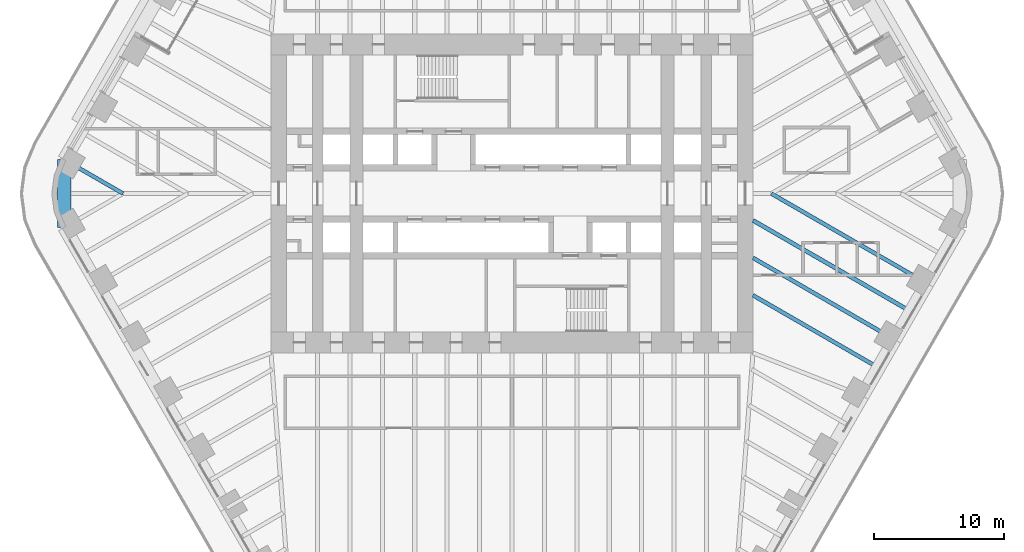
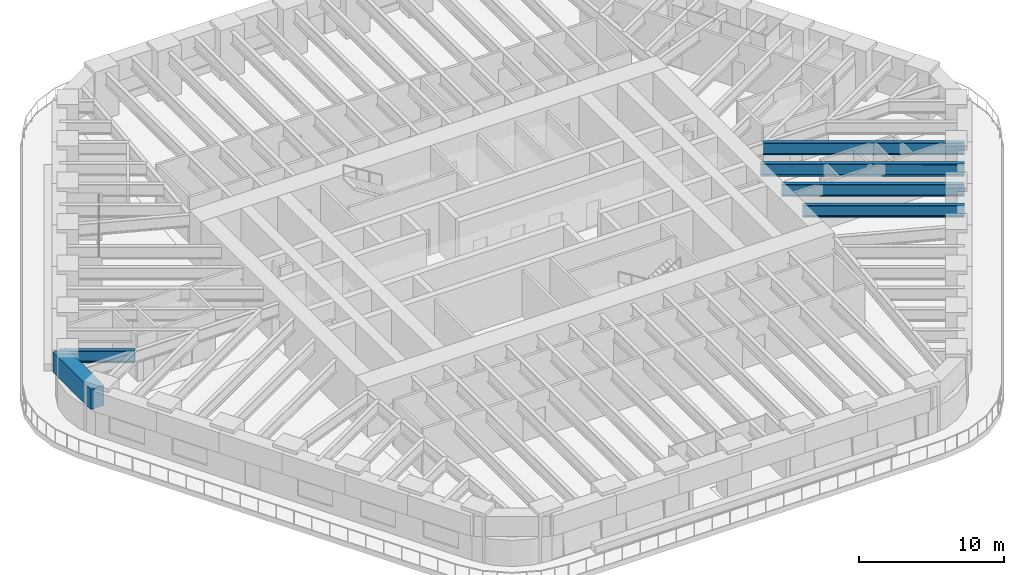
# One storey, part 5 of 19: 6 beams.
"""IFC4 building model written with IfcOpenShell, lengths in metres."""

from ifc_helpers import new_model, si_unit, direction, frame, origin, origin_2d, place, context, subcontext, project, spatial, rectangle, i_section, extrude, material, material_profile, profile_set, type_object, element, save


model = new_model("IFC4")

# Units and contexts
model_context = context("Model", 3, precision=1e-05, world=origin(), true_north=direction((0.0, 1.0)))
body_context = subcontext(model_context, "Body", "Model", "MODEL_VIEW")
ifc_project = project(units=[si_unit("LENGTHUNIT", "METRE"), si_unit("AREAUNIT", "SQUARE_METRE"), si_unit("VOLUMEUNIT", "CUBIC_METRE"), si_unit("PLANEANGLEUNIT", "RADIAN"), si_unit("MASSUNIT", "GRAM", prefix="KILO")], contexts=[model_context])

# Site, building, storey
site_placement = place(None, origin())
site = spatial("IfcSite", under=ifc_project, at=site_placement, CompositionType="ELEMENT")
building_placement = place(site_placement, origin())
building = spatial("IfcBuilding", under=site, at=building_placement, Name="Tarfa Lantern Tower", CompositionType="ELEMENT")
storey_placement = place(building_placement, frame((0.0, 0.0, 199.300048828125)))
storey = spatial("IfcBuildingStorey", under=building, at=storey_placement, Name="L45", CompositionType="ELEMENT", Elevation=199.300048828125)

# Beams
ifc_material_1 = material(Name="Concrete C80/95", Category="concrete")
ifc_material_profile_1 = material_profile(ifc_material_1, rectangle(XDim=1.050048828125, YDim=1.699951171875, at=origin_2d()), Name="RC 1050x1700")
ifc_profile_set_1 = profile_set([ifc_material_profile_1], Name="Concrete C80/95")
beam_type_1 = type_object("IfcBeamType", Name="RB2 RC 1050x1700", PredefinedType="BEAM", material=ifc_profile_set_1)
beam_1_placement = place(storey_placement, frame((-34.54296875, 2.610107421875, 3.050048828125), z_axis=(0.0, -1.0, 0.0), x_axis=(1.0, 0.0, 0.0)))
element("IfcBeam", 1, at=beam_1_placement, inside=storey, type_object=beam_type_1, Name="Edge beam NW6", PredefinedType="BEAM", context=body_context, shape_type="SweptSolid", body=[
    extrude(rectangle(XDim=1.050048828125, YDim=1.699951171875, at=origin_2d()), origin(), (0.0, 0.0, 1.0), 5.22021484375),
])
ifc_material_2 = material(Name="Steel S460M", Category="steel")
ifc_material_profile_2 = material_profile(ifc_material_2, i_section(OverallWidth=0.302001953125, OverallDepth=1.008056640625, WebThickness=0.02099609375, FlangeThickness=0.0400390625, FilletRadius=0.030029296875, at=origin_2d()), Name="UB1016x305x349")
ifc_profile_set_2 = profile_set([ifc_material_profile_2], Name="Steel S460M")
beam_type_2 = type_object("IfcBeamType", Name="UB1016x305x349", PredefinedType="BEAM", material=ifc_profile_set_2)
beam_2_placement = place(storey_placement, frame((-34.54296875, 2.610107421875, 3.39599609375), z_axis=(0.866021250859, -0.500007193008, 0.0), x_axis=(0.500007193008, 0.866021250859, 0.0)))
element("IfcBeam", 2, at=beam_2_placement, inside=storey, type_object=beam_type_2, Name="Floor beam NW6", PredefinedType="BEAM", context=body_context, shape_type="SweptSolid", body=[
    extrude(i_section(OverallWidth=0.302001953125, OverallDepth=1.008056640625, WebThickness=0.02099609375, FlangeThickness=0.0400390625, FilletRadius=0.030029296875, at=origin_2d()), origin(), (0.0, 0.0, 1.0), 5.22021484375),
])
beam_3_placement = place(storey_placement, frame((29.5390625, -11.276611328125, 3.39599609375), z_axis=(-0.866023362995, 0.500003534735, 0.0), x_axis=(-0.500003534735, -0.866023362995, 0.0)))
element("IfcBeam", 3, at=beam_3_placement, inside=storey, type_object=beam_type_2, Name="Floor beam SE4", PredefinedType="BEAM", context=body_context, shape_type="SweptSolid", body=[
    extrude(i_section(OverallWidth=0.302001953125, OverallDepth=1.008056640625, WebThickness=0.02099609375, FlangeThickness=0.0400390625, FilletRadius=0.030029296875, at=origin_2d()), origin(), (0.0, 0.0, 1.0), 12.63134765625),
])
beam_4_placement = place(storey_placement, frame((32.041015625, -6.943359375, 3.39599609375), z_axis=(-0.866023096411, 0.500003996466, 0.0), x_axis=(-0.500003996466, -0.866023096411, 0.0)))
element("IfcBeam", 4, at=beam_4_placement, inside=storey, type_object=beam_type_2, Name="Floor beam SE5", PredefinedType="BEAM", context=body_context, shape_type="SweptSolid", body=[
    extrude(i_section(OverallWidth=0.302001953125, OverallDepth=1.008056640625, WebThickness=0.02099609375, FlangeThickness=0.0400390625, FilletRadius=0.030029296875, at=origin_2d()), origin(), (0.0, 0.0, 1.0), 13.88671875),
])
beam_5_placement = place(storey_placement, frame((28.288330078125, -13.443359375, 3.39599609375), z_axis=(-0.866025316205, 0.500000151692, 0.0), x_axis=(-0.500000151692, -0.866025316205, 0.0)))
element("IfcBeam", 5, at=beam_5_placement, inside=storey, type_object=beam_type_2, Name="Floor beam SE3M", PredefinedType="BEAM", context=body_context, shape_type="SweptSolid", body=[
    extrude(i_section(OverallWidth=0.302001953125, OverallDepth=1.008056640625, WebThickness=0.02099609375, FlangeThickness=0.0400390625, FilletRadius=0.030029296875, at=origin_2d()), origin(), (0.0, 0.0, 1.0), 11.18701171875),
])
ifc_material_profile_3 = material_profile(ifc_material_2, i_section(OverallWidth=0.314208984375, OverallDepth=1.055908203125, WebThickness=0.035888671875, FlangeThickness=0.06396484375, FilletRadius=0.030029296875, at=origin_2d()), Name="UB1016x305x584")
ifc_profile_set_3 = profile_set([ifc_material_profile_3], Name="Steel S460M")
beam_type_3 = type_object("IfcBeamType", Name="UB1016x305x584", PredefinedType="BEAM", material=ifc_profile_set_3)
beam_6_placement = place(storey_placement, frame((30.7900390625, -9.110107421875, 3.3720703125), z_axis=(-0.866018636338, 0.500011721377, 0.0), x_axis=(-0.500011721377, -0.866018636338, 0.0)))
element("IfcBeam", 6, at=beam_6_placement, inside=storey, type_object=beam_type_3, Name="Floor beam SE4M", PredefinedType="BEAM", context=body_context, shape_type="SweptSolid", body=[
    extrude(i_section(OverallWidth=0.314208984375, OverallDepth=1.055908203125, WebThickness=0.035888671875, FlangeThickness=0.06396484375, FilletRadius=0.030029296875, at=origin_2d()), origin(), (0.0, 0.0, 1.0), 14.075927734375),
])

save(model, "model.ifc")
